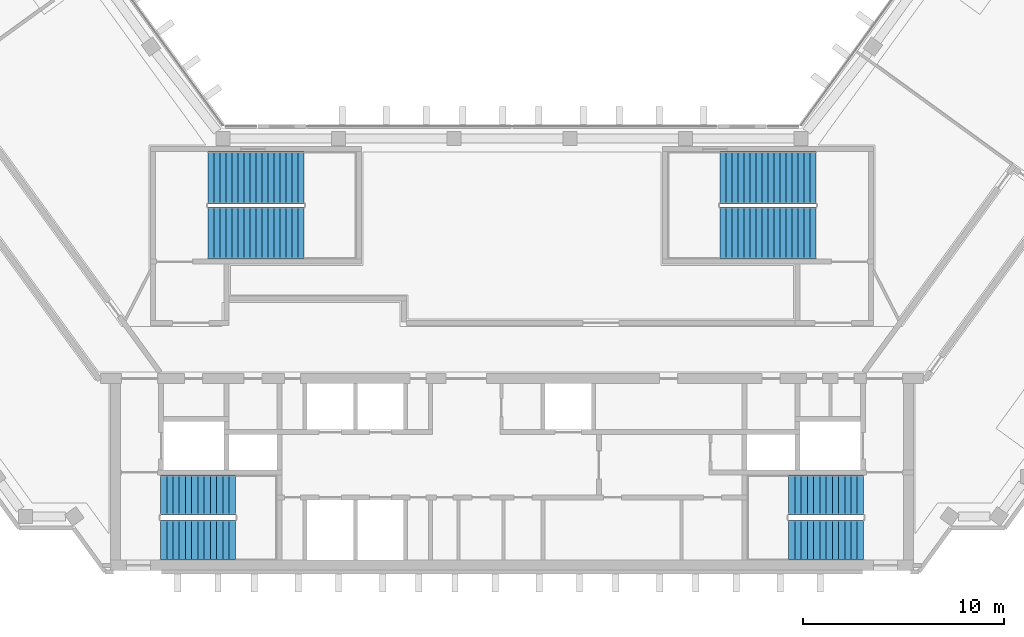
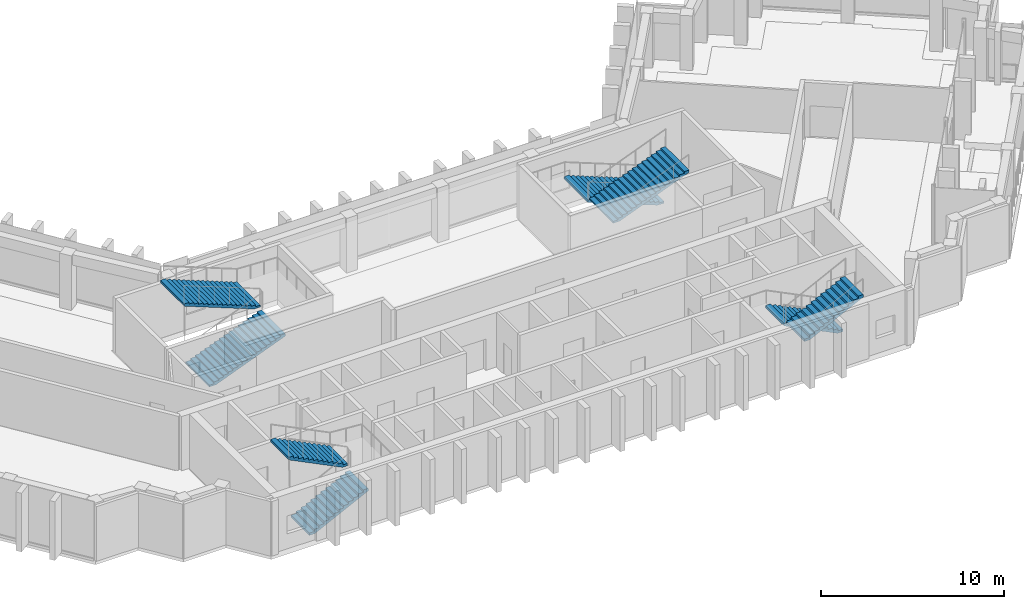
# One storey, part 7 of 9: 8 stair flights, 4 elements without a shape of their own.
"""IFC4 building model written with IfcOpenShell, lengths in metres."""

from ifc_helpers import new_model, si_unit, direction, frame, origin, place, context, subcontext, project, spatial, polyline, outline, extrude, material, type_object, element, aggregate, save


model = new_model("IFC4")

# Units and contexts
model_context = context("Model", 3, precision=1e-05, world=origin(), true_north=direction((0.0, 1.0)))
body_context = subcontext(model_context, "Body", "Model", "MODEL_VIEW")
ifc_project = project(units=[si_unit("LENGTHUNIT", "METRE"), si_unit("AREAUNIT", "SQUARE_METRE"), si_unit("VOLUMEUNIT", "CUBIC_METRE"), si_unit("PLANEANGLEUNIT", "RADIAN"), si_unit("MASSUNIT", "GRAM", prefix="KILO")], contexts=[model_context])

# Site, building, storey
site_placement = place(None, origin())
site = spatial("IfcSite", under=ifc_project, at=site_placement, CompositionType="ELEMENT")
building_placement = place(site_placement, origin())
building = spatial("IfcBuilding", under=site, at=building_placement, Name="Quipu Civic Tower", CompositionType="ELEMENT")
storey_placement = place(building_placement, frame((0.0, 0.0, 315.0)))
storey = spatial("IfcBuildingStorey", under=building, at=storey_placement, Name="L73", CompositionType="ELEMENT", Elevation=315.0)

# Stair, stair flights
ifc_material_1 = material(Name="Concrete C40/50", Category="concrete")
stair_type_1 = type_object("IfcStairType", Name="Half turn stair 2000", PredefinedType="HALF_TURN_STAIR", material=ifc_material_1)
stair_1_placement = place(storey_placement, origin())
stair_1 = element("IfcStair", 1, at=stair_1_placement, inside=storey, type_object=stair_type_1, Name="Exit stair 1", PredefinedType="HALF_TURN_STAIR")
ifc_material_2 = material(Name="Concrete C40/50", Category="concrete")
stair_flight_type_1 = type_object("IfcStairFlightType", Name="Stair flight 2000", PredefinedType="STRAIGHT", material=ifc_material_2)
stair_flight_1_placement = place(storey_placement, frame((-17.5, -9.5, 0.0), z_axis=(0.0, 0.0, 1.0), x_axis=(1.0, 0.0, 0.0)))
stair_flight_1 = element("IfcStairFlight", 2, at=stair_flight_1_placement, type_object=stair_flight_type_1, Name="ST-1 flight 1", NumberOfRisers=13, NumberOfTreads=12, PredefinedType="STRAIGHT", RiserHeight=0.153846154, TreadLength=0.31, context=body_context, shape_type="SweptSolid", body=[
    extrude(outline(polyline([(0.0, 0.0), (0.0, 0.15380859375), (0.31005859375, 0.15380859375), (0.31005859375, 0.3076171875), (0.6201171875, 0.3076171875), (0.6201171875, 0.46142578125), (0.929931640625, 0.46142578125), (0.929931640625, 0.615478515625), (1.239990234375, 0.615478515625), (1.239990234375, 0.769287109375), (1.550048828125, 0.769287109375), (1.550048828125, 0.923095703125), (1.860107421875, 0.923095703125), (1.860107421875, 1.076904296875), (2.169921875, 1.076904296875), (2.169921875, 1.230712890625), (2.47998046875, 1.230712890625), (2.47998046875, 1.384521484375), (2.7900390625, 1.384521484375), (2.7900390625, 1.53857421875), (3.10009765625, 1.53857421875), (3.10009765625, 1.6923828125), (3.409912109375, 1.6923828125), (3.409912109375, 1.84619140625), (3.719970703125, 1.84619140625), (3.719970703125, 2.0), (3.719970703125, 1.6787109375), (0.337158203125, 0.0), (0.0, 0.0)])), frame((0.0, 1.0, 0.0), z_axis=(0.0, -1.0, 0.0), x_axis=(1.0, 0.0, 0.0)), (0.0, 0.0, 1.0), 2.0),
])
stair_flight_2_placement = place(storey_placement, frame((-13.780029296875, -7.25, 2.0), z_axis=(0.0, 0.0, 1.0), x_axis=(-1.0, 0.0, 0.0)))
stair_flight_2 = element("IfcStairFlight", 3, at=stair_flight_2_placement, type_object=stair_flight_type_1, Name="ST-1 flight 2", NumberOfRisers=13, NumberOfTreads=12, PredefinedType="STRAIGHT", RiserHeight=0.153846154, TreadLength=0.31, context=body_context, shape_type="SweptSolid", body=[
    extrude(outline(polyline([(0.0, 0.0), (0.0, 0.15380859375), (0.31005859375, 0.15380859375), (0.31005859375, 0.3076171875), (0.6201171875, 0.3076171875), (0.6201171875, 0.46142578125), (0.929931640625, 0.46142578125), (0.929931640625, 0.615478515625), (1.239990234375, 0.615478515625), (1.239990234375, 0.769287109375), (1.550048828125, 0.769287109375), (1.550048828125, 0.923095703125), (1.860107421875, 0.923095703125), (1.860107421875, 1.076904296875), (2.169921875, 1.076904296875), (2.169921875, 1.230712890625), (2.47998046875, 1.230712890625), (2.47998046875, 1.384521484375), (2.7900390625, 1.384521484375), (2.7900390625, 1.53857421875), (3.10009765625, 1.53857421875), (3.10009765625, 1.6923828125), (3.409912109375, 1.6923828125), (3.409912109375, 1.84619140625), (3.719970703125, 1.84619140625), (3.719970703125, 2.0), (3.719970703125, 1.6787109375), (0.337158203125, 0.0), (0.0, 0.0)])), frame((0.0, 1.0, 0.0), z_axis=(0.0, -1.0, 0.0), x_axis=(1.0, 0.0, 0.0)), (0.0, 0.0, 1.0), 2.0),
])
aggregate(stair_1, [stair_flight_1, stair_flight_2])

stair_2_placement = place(storey_placement, origin())
stair_2 = element("IfcStair", 4, at=stair_2_placement, inside=storey, type_object=stair_type_1, Name="Exit stair 2", PredefinedType="HALF_TURN_STAIR")
stair_flight_3_placement = place(storey_placement, frame((17.5, -7.25, 0.0), z_axis=(0.0, 0.0, 1.0), x_axis=(-1.0, 0.0, 0.0)))
stair_flight_3 = element("IfcStairFlight", 5, at=stair_flight_3_placement, type_object=stair_flight_type_1, Name="ST-2 flight 1", NumberOfRisers=13, NumberOfTreads=12, PredefinedType="STRAIGHT", RiserHeight=0.153846154, TreadLength=0.31, context=body_context, shape_type="SweptSolid", body=[
    extrude(outline(polyline([(0.0, 0.0), (0.0, 0.15380859375), (0.31005859375, 0.15380859375), (0.31005859375, 0.3076171875), (0.6201171875, 0.3076171875), (0.6201171875, 0.46142578125), (0.929931640625, 0.46142578125), (0.929931640625, 0.615478515625), (1.239990234375, 0.615478515625), (1.239990234375, 0.769287109375), (1.550048828125, 0.769287109375), (1.550048828125, 0.923095703125), (1.860107421875, 0.923095703125), (1.860107421875, 1.076904296875), (2.169921875, 1.076904296875), (2.169921875, 1.230712890625), (2.47998046875, 1.230712890625), (2.47998046875, 1.384521484375), (2.7900390625, 1.384521484375), (2.7900390625, 1.53857421875), (3.10009765625, 1.53857421875), (3.10009765625, 1.6923828125), (3.409912109375, 1.6923828125), (3.409912109375, 1.84619140625), (3.719970703125, 1.84619140625), (3.719970703125, 2.0), (3.719970703125, 1.6787109375), (0.337158203125, 0.0), (0.0, 0.0)])), frame((0.0, 1.0, 0.0), z_axis=(0.0, -1.0, 0.0), x_axis=(1.0, 0.0, 0.0)), (0.0, 0.0, 1.0), 2.0),
])
stair_flight_4_placement = place(storey_placement, frame((13.780029296875, -9.5, 2.0), z_axis=(0.0, 0.0, 1.0), x_axis=(1.0, 0.0, 0.0)))
stair_flight_4 = element("IfcStairFlight", 6, at=stair_flight_4_placement, type_object=stair_flight_type_1, Name="ST-2 flight 2", NumberOfRisers=13, NumberOfTreads=12, PredefinedType="STRAIGHT", RiserHeight=0.153846154, TreadLength=0.31, context=body_context, shape_type="SweptSolid", body=[
    extrude(outline(polyline([(0.0, 0.0), (0.0, 0.15380859375), (0.31005859375, 0.15380859375), (0.31005859375, 0.3076171875), (0.6201171875, 0.3076171875), (0.6201171875, 0.46142578125), (0.929931640625, 0.46142578125), (0.929931640625, 0.615478515625), (1.239990234375, 0.615478515625), (1.239990234375, 0.769287109375), (1.550048828125, 0.769287109375), (1.550048828125, 0.923095703125), (1.860107421875, 0.923095703125), (1.860107421875, 1.076904296875), (2.169921875, 1.076904296875), (2.169921875, 1.230712890625), (2.47998046875, 1.230712890625), (2.47998046875, 1.384521484375), (2.7900390625, 1.384521484375), (2.7900390625, 1.53857421875), (3.10009765625, 1.53857421875), (3.10009765625, 1.6923828125), (3.409912109375, 1.6923828125), (3.409912109375, 1.84619140625), (3.719970703125, 1.84619140625), (3.719970703125, 2.0), (3.719970703125, 1.6787109375), (0.337158203125, 0.0), (0.0, 0.0)])), frame((0.0, 1.0, 0.0), z_axis=(0.0, -1.0, 0.0), x_axis=(1.0, 0.0, 0.0)), (0.0, 0.0, 1.0), 2.0),
])
aggregate(stair_2, [stair_flight_3, stair_flight_4])

ifc_material_3 = material(Name="Concrete C40/50", Category="concrete")
stair_type_2 = type_object("IfcStairType", Name="Half turn stair 2600", PredefinedType="HALF_TURN_STAIR", material=ifc_material_3)
stair_3_placement = place(storey_placement, origin())
stair_3 = element("IfcStair", 7, at=stair_3_placement, inside=storey, type_object=stair_type_2, Name="Exit stair 3", PredefinedType="HALF_TURN_STAIR")
ifc_material_4 = material(Name="Concrete C40/50", Category="concrete")
stair_flight_type_2 = type_object("IfcStairFlightType", Name="Stair flight 2600", PredefinedType="STRAIGHT", material=ifc_material_4)
stair_flight_5_placement = place(storey_placement, frame((-15.14990234375, 5.800048828125, 0.0), z_axis=(0.0, 0.0, 1.0), x_axis=(1.0, 0.0, 0.0)))
stair_flight_5 = element("IfcStairFlight", 8, at=stair_flight_5_placement, type_object=stair_flight_type_2, Name="ST-3 flight 1", NumberOfRisers=17, NumberOfTreads=16, PredefinedType="STRAIGHT", RiserHeight=0.117647059, TreadLength=0.3, context=body_context, shape_type="SweptSolid", body=[
    extrude(outline(polyline([(0.0, 0.0), (0.0, 0.11767578125), (0.300048828125, 0.11767578125), (0.300048828125, 0.2353515625), (0.60009765625, 0.2353515625), (0.60009765625, 0.35302734375), (0.89990234375, 0.35302734375), (0.89990234375, 0.470703125), (1.199951171875, 0.470703125), (1.199951171875, 0.588134765625), (1.5, 0.588134765625), (1.5, 0.705810546875), (1.800048828125, 0.705810546875), (1.800048828125, 0.823486328125), (2.10009765625, 0.823486328125), (2.10009765625, 0.941162109375), (2.39990234375, 0.941162109375), (2.39990234375, 1.058837890625), (2.699951171875, 1.058837890625), (2.699951171875, 1.176513671875), (3.0, 1.176513671875), (3.0, 1.294189453125), (3.300048828125, 1.294189453125), (3.300048828125, 1.411865234375), (3.60009765625, 1.411865234375), (3.60009765625, 1.529296875), (3.89990234375, 1.529296875), (3.89990234375, 1.64697265625), (4.199951171875, 1.64697265625), (4.199951171875, 1.7646484375), (4.5, 1.7646484375), (4.5, 1.88232421875), (4.800048828125, 1.88232421875), (4.800048828125, 2.0), (4.800048828125, 1.721435546875), (0.41064453125, 0.0), (0.0, 0.0)])), frame((0.0, 1.300048828125, 0.0), z_axis=(0.0, -1.0, 0.0), x_axis=(1.0, 0.0, 0.0)), (0.0, 0.0, 1.0), 2.60009765625),
])
stair_flight_6_placement = place(storey_placement, frame((-10.35009765625, 8.550048828125, 2.0), z_axis=(0.0, 0.0, 1.0), x_axis=(-1.0, 0.0, 0.0)))
stair_flight_6 = element("IfcStairFlight", 9, at=stair_flight_6_placement, type_object=stair_flight_type_2, Name="ST-3 flight 2", NumberOfRisers=17, NumberOfTreads=16, PredefinedType="STRAIGHT", RiserHeight=0.117647059, TreadLength=0.3, context=body_context, shape_type="SweptSolid", body=[
    extrude(outline(polyline([(0.0, 0.0), (0.0, 0.11767578125), (0.300048828125, 0.11767578125), (0.300048828125, 0.2353515625), (0.60009765625, 0.2353515625), (0.60009765625, 0.35302734375), (0.89990234375, 0.35302734375), (0.89990234375, 0.470703125), (1.199951171875, 0.470703125), (1.199951171875, 0.588134765625), (1.5, 0.588134765625), (1.5, 0.705810546875), (1.800048828125, 0.705810546875), (1.800048828125, 0.823486328125), (2.10009765625, 0.823486328125), (2.10009765625, 0.941162109375), (2.39990234375, 0.941162109375), (2.39990234375, 1.058837890625), (2.699951171875, 1.058837890625), (2.699951171875, 1.176513671875), (3.0, 1.176513671875), (3.0, 1.294189453125), (3.300048828125, 1.294189453125), (3.300048828125, 1.411865234375), (3.60009765625, 1.411865234375), (3.60009765625, 1.529296875), (3.89990234375, 1.529296875), (3.89990234375, 1.64697265625), (4.199951171875, 1.64697265625), (4.199951171875, 1.7646484375), (4.5, 1.7646484375), (4.5, 1.88232421875), (4.800048828125, 1.88232421875), (4.800048828125, 2.0), (4.800048828125, 1.721435546875), (0.41064453125, 0.0), (0.0, 0.0)])), frame((0.0, 1.300048828125, 0.0), z_axis=(0.0, -1.0, 0.0), x_axis=(1.0, 0.0, 0.0)), (0.0, 0.0, 1.0), 2.60009765625),
])
aggregate(stair_3, [stair_flight_5, stair_flight_6])

stair_4_placement = place(storey_placement, origin())
stair_4 = element("IfcStair", 10, at=stair_4_placement, inside=storey, type_object=stair_type_2, Name="Exit stair 4", PredefinedType="HALF_TURN_STAIR")
stair_flight_7_placement = place(storey_placement, frame((15.14990234375, 8.550048828125, 0.0), z_axis=(0.0, 0.0, 1.0), x_axis=(-1.0, 0.0, 0.0)))
stair_flight_7 = element("IfcStairFlight", 11, at=stair_flight_7_placement, type_object=stair_flight_type_2, Name="ST-4 flight 1", NumberOfRisers=17, NumberOfTreads=16, PredefinedType="STRAIGHT", RiserHeight=0.117647059, TreadLength=0.3, context=body_context, shape_type="SweptSolid", body=[
    extrude(outline(polyline([(0.0, 0.0), (0.0, 0.11767578125), (0.300048828125, 0.11767578125), (0.300048828125, 0.2353515625), (0.60009765625, 0.2353515625), (0.60009765625, 0.35302734375), (0.89990234375, 0.35302734375), (0.89990234375, 0.470703125), (1.199951171875, 0.470703125), (1.199951171875, 0.588134765625), (1.5, 0.588134765625), (1.5, 0.705810546875), (1.800048828125, 0.705810546875), (1.800048828125, 0.823486328125), (2.10009765625, 0.823486328125), (2.10009765625, 0.941162109375), (2.39990234375, 0.941162109375), (2.39990234375, 1.058837890625), (2.699951171875, 1.058837890625), (2.699951171875, 1.176513671875), (3.0, 1.176513671875), (3.0, 1.294189453125), (3.300048828125, 1.294189453125), (3.300048828125, 1.411865234375), (3.60009765625, 1.411865234375), (3.60009765625, 1.529296875), (3.89990234375, 1.529296875), (3.89990234375, 1.64697265625), (4.199951171875, 1.64697265625), (4.199951171875, 1.7646484375), (4.5, 1.7646484375), (4.5, 1.88232421875), (4.800048828125, 1.88232421875), (4.800048828125, 2.0), (4.800048828125, 1.721435546875), (0.41064453125, 0.0), (0.0, 0.0)])), frame((0.0, 1.300048828125, 0.0), z_axis=(0.0, -1.0, 0.0), x_axis=(1.0, 0.0, 0.0)), (0.0, 0.0, 1.0), 2.60009765625),
])
stair_flight_8_placement = place(storey_placement, frame((10.35009765625, 5.800048828125, 2.0), z_axis=(0.0, 0.0, 1.0), x_axis=(1.0, 0.0, 0.0)))
stair_flight_8 = element("IfcStairFlight", 12, at=stair_flight_8_placement, type_object=stair_flight_type_2, Name="ST-4 flight 2", NumberOfRisers=17, NumberOfTreads=16, PredefinedType="STRAIGHT", RiserHeight=0.117647059, TreadLength=0.3, context=body_context, shape_type="SweptSolid", body=[
    extrude(outline(polyline([(0.0, 0.0), (0.0, 0.11767578125), (0.300048828125, 0.11767578125), (0.300048828125, 0.2353515625), (0.60009765625, 0.2353515625), (0.60009765625, 0.35302734375), (0.89990234375, 0.35302734375), (0.89990234375, 0.470703125), (1.199951171875, 0.470703125), (1.199951171875, 0.588134765625), (1.5, 0.588134765625), (1.5, 0.705810546875), (1.800048828125, 0.705810546875), (1.800048828125, 0.823486328125), (2.10009765625, 0.823486328125), (2.10009765625, 0.941162109375), (2.39990234375, 0.941162109375), (2.39990234375, 1.058837890625), (2.699951171875, 1.058837890625), (2.699951171875, 1.176513671875), (3.0, 1.176513671875), (3.0, 1.294189453125), (3.300048828125, 1.294189453125), (3.300048828125, 1.411865234375), (3.60009765625, 1.411865234375), (3.60009765625, 1.529296875), (3.89990234375, 1.529296875), (3.89990234375, 1.64697265625), (4.199951171875, 1.64697265625), (4.199951171875, 1.7646484375), (4.5, 1.7646484375), (4.5, 1.88232421875), (4.800048828125, 1.88232421875), (4.800048828125, 2.0), (4.800048828125, 1.721435546875), (0.41064453125, 0.0), (0.0, 0.0)])), frame((0.0, 1.300048828125, 0.0), z_axis=(0.0, -1.0, 0.0), x_axis=(1.0, 0.0, 0.0)), (0.0, 0.0, 1.0), 2.60009765625),
])
aggregate(stair_4, [stair_flight_7, stair_flight_8])

save(model, "model.ifc")
